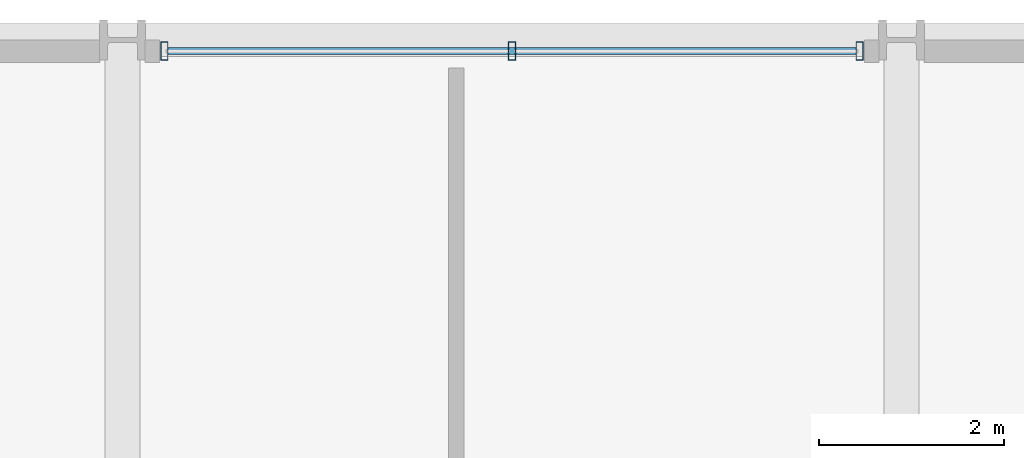
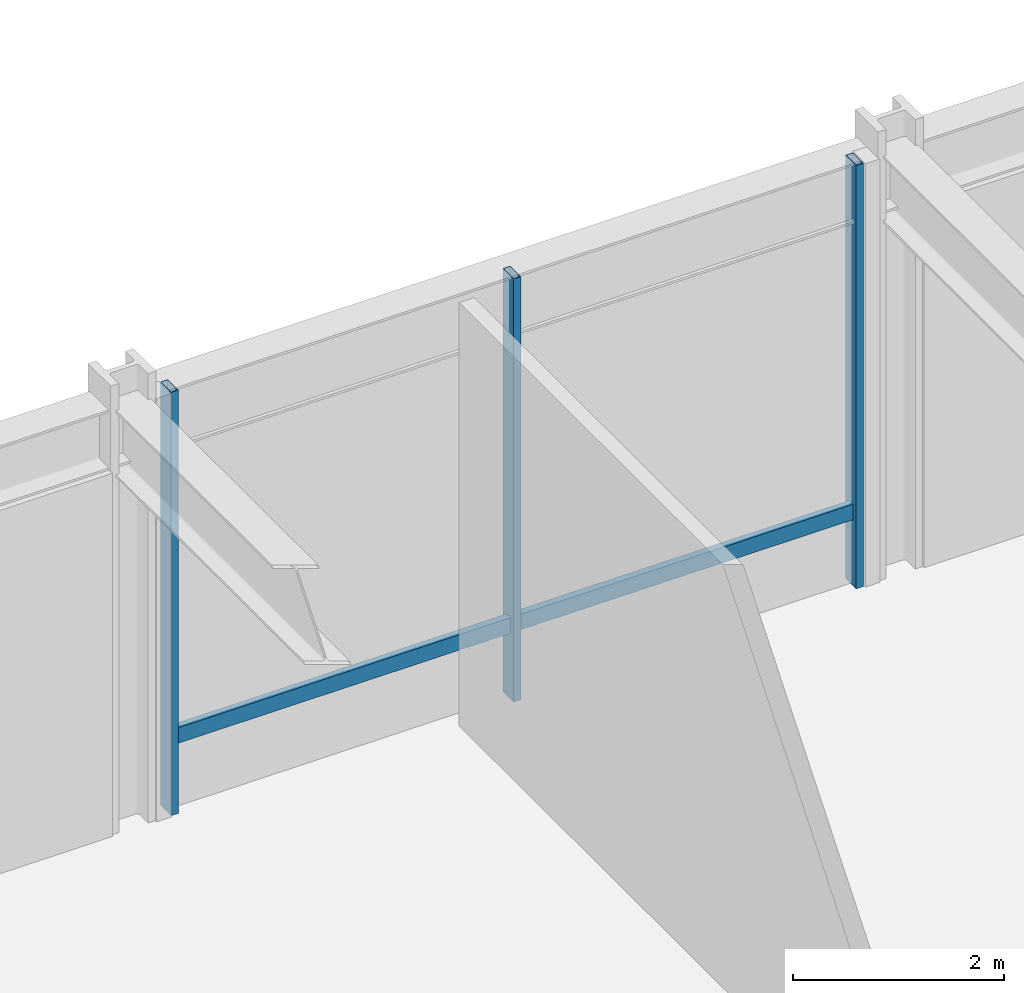
# One storey, part 5 of 19: 4 members, 1 element without a shape of its own.
"""IFC4 building model written with IfcOpenShell, lengths in metres."""

from ifc_helpers import new_model, si_unit, direction, frame, origin, origin_2d, place, context, subcontext, project, spatial, hollow_rectangle, extrude, material, layer, layer_set, material_profile, profile_set, type_object, element, aggregate, save


model = new_model("IFC4")

# Units and contexts
model_context = context("Model", 3, precision=1e-05, world=origin(), true_north=direction((0.0, 1.0)))
body_context = subcontext(model_context, "Body", "Model", "MODEL_VIEW")
ifc_project = project(units=[si_unit("LENGTHUNIT", "METRE"), si_unit("AREAUNIT", "SQUARE_METRE"), si_unit("VOLUMEUNIT", "CUBIC_METRE"), si_unit("PLANEANGLEUNIT", "RADIAN"), si_unit("MASSUNIT", "GRAM", prefix="KILO")], contexts=[model_context])

# Site, building, storey
site_placement = place(None, origin())
site = spatial("IfcSite", under=ifc_project, at=site_placement, CompositionType="ELEMENT")
building_placement = place(site_placement, origin())
building = spatial("IfcBuilding", under=site, at=building_placement, Name="Drelvath Grand Hotel", CompositionType="ELEMENT")
storey_placement = place(building_placement, frame((0.0, 0.0, 17.199951171875)))
storey = spatial("IfcBuildingStorey", under=building, at=storey_placement, Name="L03", CompositionType="ELEMENT", Elevation=17.199951171875)

# Curtain wall, members
ifc_material = material(Name="Dark Bronze Anodised Aluminium Frame", Category="aluminium")
ifc_layer = layer(ifc_material, 0.199951171875)
ifc_layer_set = layer_set([ifc_layer], Name="Dark Bronze Anodised Aluminium Frame")
curtain_wall_type = type_object("IfcCurtainWallType", Name="Stick Curtain Wall CW-01 Dark Bronze Podium", PredefinedType="NOTDEFINED", material=ifc_layer_set)
curtain_wall_placement = place(storey_placement, origin())
curtain_wall = element("IfcCurtainWall", 1, at=curtain_wall_placement, inside=storey, type_object=curtain_wall_type, Name="L03 CW-01 Curtain Wall CW01-L03-NC1", PredefinedType="NOTDEFINED")
ifc_material_profile_1 = material_profile(ifc_material, hollow_rectangle(XDim=0.074951171875, YDim=0.179931640625, WallThickness=0.0048828125, at=origin_2d()), Name="HSS180X75X5")
ifc_profile_set_1 = profile_set([ifc_material_profile_1], Name="Dark Bronze Anodised Aluminium Frame")
member_type_1 = type_object("IfcMemberType", Name="Curtain Wall Horizontal Transom CW-01 HSS180X75X5", PredefinedType="USERDEFINED", material=ifc_profile_set_1)
member_1_placement = place(storey_placement, frame((-7.909912109375, 53.8798828125, 0.85009765625), z_axis=(1.0, 0.0, 0.0), x_axis=(0.0, 1.0, 0.0)))
member_1 = element("IfcMember", 2, at=member_1_placement, type_object=member_type_1, Name="CW01-L03-NC1 Sill Transom", ObjectType="TRANSOM", PredefinedType="USERDEFINED", context=body_context, shape_type="SweptSolid", body=[
    extrude(hollow_rectangle(XDim=0.074951171875, YDim=0.179931640625, WallThickness=0.0048828125, at=origin_2d()), origin(), (0.0, 0.0, 1.0), 7.419921875),
])
ifc_material_profile_2 = material_profile(ifc_material, hollow_rectangle(XDim=0.080078125, YDim=0.199951171875, WallThickness=0.0048828125, at=origin_2d()), Name="HSS200X80X5")
ifc_profile_set_2 = profile_set([ifc_material_profile_2], Name="Dark Bronze Anodised Aluminium Frame")
member_type_2 = type_object("IfcMemberType", Name="Curtain Wall Vertical Mullion CW-01 HSS200X80X5", PredefinedType="MULLION", material=ifc_profile_set_2)
member_2_placement = place(storey_placement, frame((-7.949951171875, 53.8798828125, 0.0), z_axis=(0.0, 0.0, 1.0), x_axis=(1.0, 0.0, 0.0)))
member_2 = element("IfcMember", 3, at=member_2_placement, type_object=member_type_2, Name="CW01-L03-NC1 Mullion 1", PredefinedType="MULLION", context=body_context, shape_type="SweptSolid", body=[
    extrude(hollow_rectangle(XDim=0.080078125, YDim=0.199951171875, WallThickness=0.0048828125, at=origin_2d()), origin(), (0.0, 0.0, 1.0), 4.900146484375),
])
member_3_placement = place(storey_placement, frame((-4.199951171875, 53.8798828125, 0.0), z_axis=(0.0, 0.0, 1.0), x_axis=(1.0, 0.0, 0.0)))
member_3 = element("IfcMember", 4, at=member_3_placement, type_object=member_type_2, Name="CW01-L03-NC1 Mullion 2", PredefinedType="MULLION", context=body_context, shape_type="SweptSolid", body=[
    extrude(hollow_rectangle(XDim=0.080078125, YDim=0.199951171875, WallThickness=0.0048828125, at=origin_2d()), origin(), (0.0, 0.0, 1.0), 4.900146484375),
])
member_4_placement = place(storey_placement, frame((-0.449951171875, 53.8798828125, 0.0), z_axis=(0.0, 0.0, 1.0), x_axis=(1.0, 0.0, 0.0)))
member_4 = element("IfcMember", 5, at=member_4_placement, type_object=member_type_2, Name="CW01-L03-NC1 Mullion 3", PredefinedType="MULLION", context=body_context, shape_type="SweptSolid", body=[
    extrude(hollow_rectangle(XDim=0.080078125, YDim=0.199951171875, WallThickness=0.0048828125, at=origin_2d()), origin(), (0.0, 0.0, 1.0), 4.900146484375),
])
aggregate(curtain_wall, [member_2, member_3, member_4, member_1])

save(model, "model.ifc")
